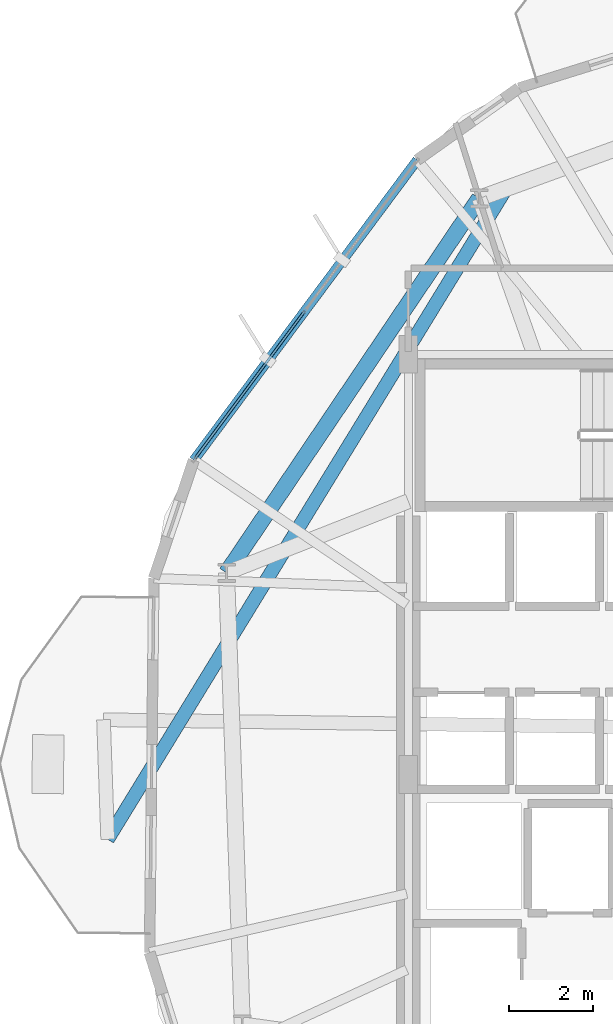
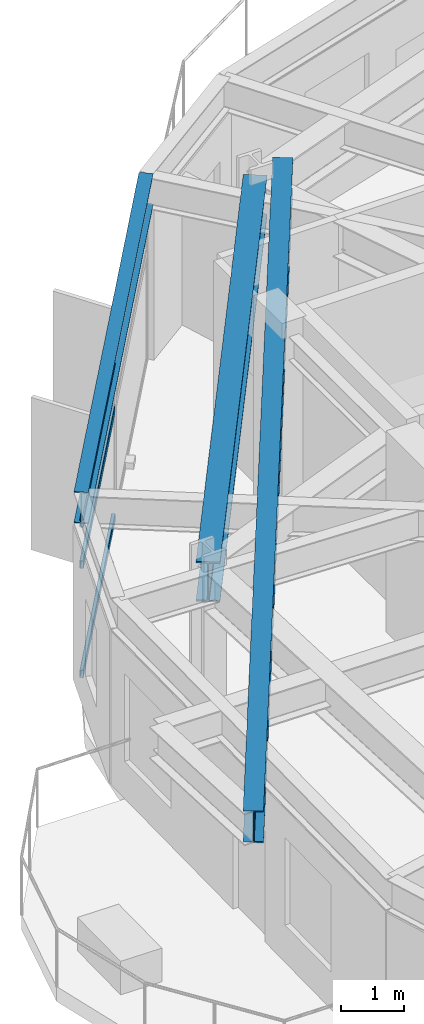
# One storey, part 8 of 27: 3 beams, 3 members, 1 element without a shape of its own.
"""IFC4 building model written with IfcOpenShell, lengths in metres."""

from ifc_helpers import new_model, si_unit, direction, frame, origin, origin_2d, place, context, subcontext, project, spatial, hollow_rectangle, i_section, extrude, material, layer, layer_set, material_profile, profile_set, type_object, element, aggregate, save


model = new_model("IFC4")

# Units and contexts
model_context = context("Model", 3, precision=1e-05, world=origin(), true_north=direction((0.0, 1.0)))
body_context = subcontext(model_context, "Body", "Model", "MODEL_VIEW")
ifc_project = project(units=[si_unit("LENGTHUNIT", "METRE"), si_unit("AREAUNIT", "SQUARE_METRE"), si_unit("VOLUMEUNIT", "CUBIC_METRE"), si_unit("PLANEANGLEUNIT", "RADIAN"), si_unit("MASSUNIT", "GRAM", prefix="KILO")], contexts=[model_context])

# Site, building, storey
site_placement = place(None, origin())
site = spatial("IfcSite", under=ifc_project, at=site_placement, CompositionType="ELEMENT")
building_placement = place(site_placement, origin())
building = spatial("IfcBuilding", under=site, at=building_placement, Name="Soratama Intermodal Tower", CompositionType="ELEMENT")
storey_placement = place(building_placement, frame((0.0, 0.0, 95.199951171875)))
storey = spatial("IfcBuildingStorey", under=building, at=storey_placement, Name="L22", CompositionType="ELEMENT", Elevation=95.199951171875)

# Beams
ifc_material_1 = material(Name="Structural steel ASTM A992 Grade 50", Category="steel")
ifc_material_profile_1 = material_profile(ifc_material_1, i_section(OverallWidth=0.324951171875, OverallDepth=0.615966796875, WebThickness=0.013916015625, FlangeThickness=0.021484375, FilletRadius=0.013916015625, at=origin_2d()), Name="W24X117")
ifc_profile_set_1 = profile_set([ifc_material_profile_1], Name="Structural steel ASTM A992 Grade 50")
beam_type_1 = type_object("IfcBeamType", Name="BM-CANT-W24X117", PredefinedType="BEAM", material=ifc_profile_set_1)
beam_1_placement = place(storey_placement, frame((34.908935546875, 38.910888671875, 3.2919921875), z_axis=(-0.52221424385, -0.852814331212, 0.0), x_axis=(0.852814331212, -0.52221424385, 0.0)))
element("IfcBeam", 1, at=beam_1_placement, inside=storey, type_object=beam_type_1, Name="BM-L22-CANT-3-2", PredefinedType="BEAM", context=body_context, shape_type="SweptSolid", body=[
    extrude(i_section(OverallWidth=0.324951171875, OverallDepth=0.615966796875, WebThickness=0.013916015625, FlangeThickness=0.021484375, FilletRadius=0.013916015625, at=origin_2d()), origin(), (0.0, 0.0, 1.0), 18.12451171875),
])
ifc_material_2 = material(Name="Structural steel ASTM A992 Grade 50", Category="steel")
ifc_material_profile_2 = material_profile(ifc_material_2, i_section(OverallWidth=0.382080078125, OverallDepth=0.779052734375, WebThickness=0.01806640625, FlangeThickness=0.030029296875, FilletRadius=0.01806640625, at=origin_2d()), Name="W30X191")
ifc_profile_set_2 = profile_set([ifc_material_profile_2], Name="Structural steel ASTM A992 Grade 50")
beam_type_2 = type_object("IfcBeamType", Name="BM-RING-W30X191", PredefinedType="BEAM", material=ifc_profile_set_2)
beam_2_placement = place(storey_placement, frame((34.2880859375, 38.7109375, 3.21044921875), z_axis=(-0.559249807749, -0.828999187293, 0.0), x_axis=(0.828999187293, -0.559249807749, 0.0)))
element("IfcBeam", 2, at=beam_2_placement, inside=storey, type_object=beam_type_2, Name="BM-L22-RING-04", PredefinedType="BEAM", context=body_context, shape_type="SweptSolid", body=[
    extrude(i_section(OverallWidth=0.382080078125, OverallDepth=0.779052734375, WebThickness=0.01806640625, FlangeThickness=0.030029296875, FilletRadius=0.01806640625, at=origin_2d()), origin(), (0.0, 0.0, 1.0), 10.75390625),
])
ifc_material_3 = material(Name="Structural steel ASTM A992 Grade 50", Category="steel")
ifc_material_profile_3 = material_profile(ifc_material_3, i_section(OverallWidth=0.22900390625, OverallDepth=0.612060546875, WebThickness=0.011962890625, FlangeThickness=0.01953125, FilletRadius=0.012939453125, at=origin_2d()), Name="W24X84")
ifc_profile_set_3 = profile_set([ifc_material_profile_3], Name="Structural steel ASTM A992 Grade 50")
beam_type_3 = type_object("IfcBeamType", Name="BM-SPN-W24X84", PredefinedType="SPANDREL", material=ifc_profile_set_3)
beam_3_placement = place(storey_placement, frame((32.81201171875, 39.6240234375, 3.2939453125), z_axis=(-0.597093212926, -0.80217186131, 0.0), x_axis=(0.80217186131, -0.597093212926, 0.0)))
element("IfcBeam", 3, at=beam_3_placement, inside=storey, type_object=beam_type_3, Name="BS-L22-F04", PredefinedType="SPANDREL", context=body_context, shape_type="SweptSolid", body=[
    extrude(i_section(OverallWidth=0.22900390625, OverallDepth=0.612060546875, WebThickness=0.011962890625, FlangeThickness=0.01953125, FilletRadius=0.012939453125, at=origin_2d()), origin(), (0.0, 0.0, 1.0), 8.908203125),
])

# Curtain wall, members
ifc_material_4 = material(Name="Double-glazed aluminium curtain wall", Category="aluminium")
ifc_layer = layer(ifc_material_4, 0.159912109375)
ifc_layer_set = layer_set([ifc_layer], Name="Double-glazed aluminium curtain wall")
curtain_wall_type = type_object("IfcCurtainWallType", Name="CW-SYS-3", PredefinedType="NOTDEFINED", material=ifc_layer_set)
curtain_wall_placement = place(storey_placement, origin())
curtain_wall = element("IfcCurtainWall", 4, at=curtain_wall_placement, inside=storey, type_object=curtain_wall_type, Name="L22 Faceted Curtain Wall F04", PredefinedType="NOTDEFINED")
ifc_material_5 = material(Name="Anodised aluminium AA 6063-T6", Category="aluminium")
ifc_material_profile_4 = material_profile(ifc_material_5, hollow_rectangle(XDim=0.06494140625, YDim=0.14990234375, WallThickness=0.0048828125, InnerFilletRadius=0.0048828125, OuterFilletRadius=0.010009765625, at=origin_2d()), Name="CWT150X65X5")
ifc_profile_set_4 = profile_set([ifc_material_profile_4], Name="Anodised aluminium AA 6063-T6")
member_type = type_object("IfcMemberType", Name="TT-CWT-1", PredefinedType="USERDEFINED", material=ifc_profile_set_4)
member_1_placement = place(storey_placement, frame((30.134521484375, 36.02685546875, 0.030029296875), z_axis=(-0.597060166992, -0.802196457853, 0.0), x_axis=(0.802196457853, -0.597060166992, 0.0)))
member_1 = element("IfcMember", 5, at=member_1_placement, type_object=member_type, Name="CW-3 transom 2.1", ObjectType="TRANSOM", PredefinedType="USERDEFINED", context=body_context, shape_type="SweptSolid", body=[
    extrude(hollow_rectangle(XDim=0.06494140625, YDim=0.14990234375, WallThickness=0.0048828125, InnerFilletRadius=0.0048828125, OuterFilletRadius=0.010009765625, at=origin_2d()), origin(), (0.0, 0.0, 1.0), 4.3642578125),
])
member_2_placement = place(storey_placement, frame((30.134521484375, 36.02685546875, 2.150146484375), z_axis=(-0.597060166992, -0.802196457853, 0.0), x_axis=(0.802196457853, -0.597060166992, 0.0)))
member_2 = element("IfcMember", 6, at=member_2_placement, type_object=member_type, Name="CW-3 transom 2.2", ObjectType="TRANSOM", PredefinedType="USERDEFINED", context=body_context, shape_type="SweptSolid", body=[
    extrude(hollow_rectangle(XDim=0.06494140625, YDim=0.14990234375, WallThickness=0.0048828125, InnerFilletRadius=0.0048828125, OuterFilletRadius=0.010009765625, at=origin_2d()), origin(), (0.0, 0.0, 1.0), 4.3642578125),
])
member_3_placement = place(storey_placement, frame((30.134521484375, 36.02685546875, 2.948974609375), z_axis=(-0.597060166992, -0.802196457853, 0.0), x_axis=(0.802196457853, -0.597060166992, 0.0)))
member_3 = element("IfcMember", 7, at=member_3_placement, type_object=member_type, Name="CW-3 transom 2.3", ObjectType="TRANSOM", PredefinedType="USERDEFINED", context=body_context, shape_type="SweptSolid", body=[
    extrude(hollow_rectangle(XDim=0.06494140625, YDim=0.14990234375, WallThickness=0.0048828125, InnerFilletRadius=0.0048828125, OuterFilletRadius=0.010009765625, at=origin_2d()), origin(), (0.0, 0.0, 1.0), 4.3642578125),
])
aggregate(curtain_wall, [member_1, member_2, member_3])

save(model, "model.ifc")
